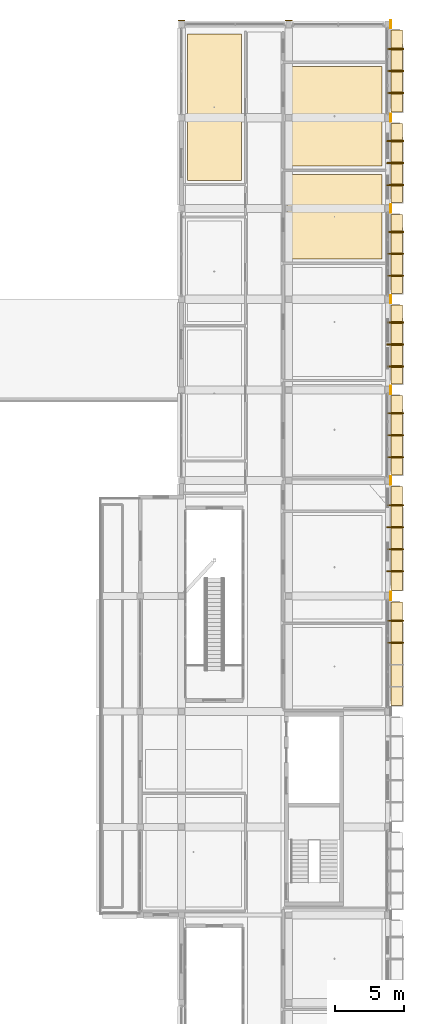
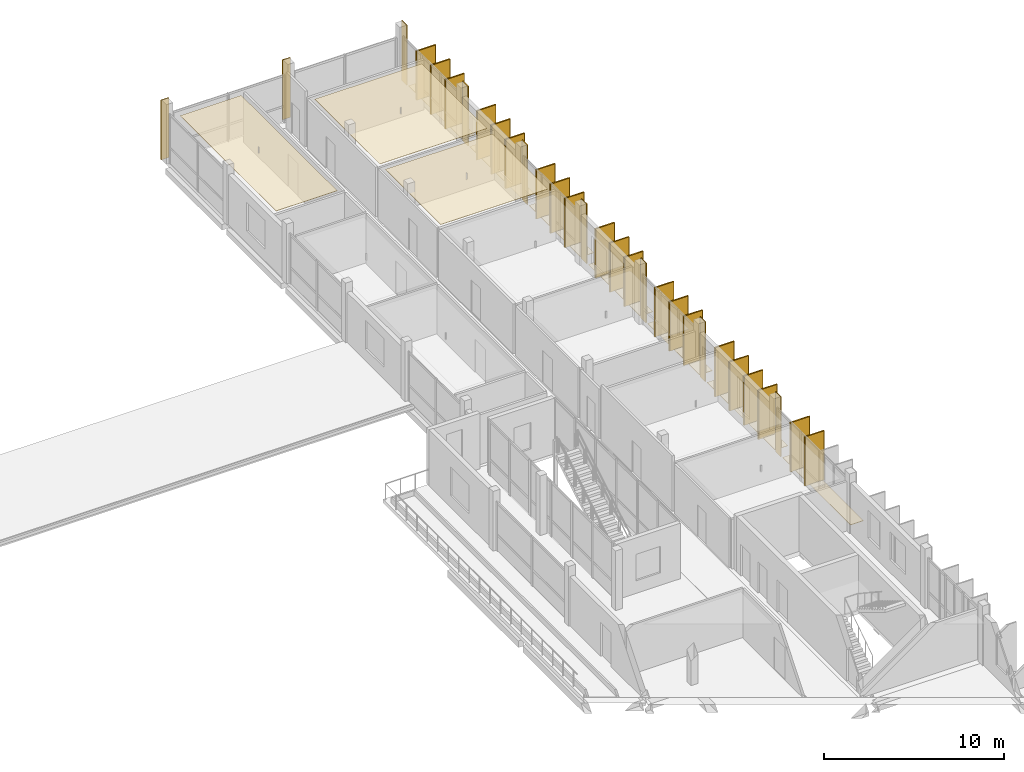
# One storey, part 86 of 86: 40 coverings, 21 shading devices.
"""IFC4 building model written with IfcOpenShell, lengths in metres."""

from ifc_helpers import new_model, si_unit, derived_unit, direction, frame, origin, origin_2d, place, context, subcontext, project, spatial, polyline, rectangle, outline, extrude, material, layer, layer_set, type_object, element, save


model = new_model("IFC4")

# Units and contexts
model_context = context("Model", 3, precision=1e-05, world=origin(), true_north=direction((0.0, 1.0)))
body_context = subcontext(model_context, "Body", "Model", "MODEL_VIEW")
ifc_project = project(units=[si_unit("LENGTHUNIT", "METRE"), si_unit("AREAUNIT", "SQUARE_METRE"), si_unit("VOLUMEUNIT", "CUBIC_METRE"), si_unit("PLANEANGLEUNIT", "RADIAN"), si_unit("MASSUNIT", "GRAM", prefix="KILO"), derived_unit("THERMALTRANSMITTANCEUNIT", [(si_unit("POWERUNIT", "WATT"), 1), (si_unit("LENGTHUNIT", "METRE"), -2), (si_unit("THERMODYNAMICTEMPERATUREUNIT", "KELVIN"), -1)])], contexts=[model_context])

# Site, building, storey
site_placement = place(None, origin())
site = spatial("IfcSite", under=ifc_project, at=site_placement, CompositionType="ELEMENT")
building_placement = place(site_placement, origin())
building = spatial("IfcBuilding", under=site, at=building_placement, Name="Braskholm Square Health Centre", CompositionType="ELEMENT")
storey_placement = place(building_placement, frame((0.0, 0.0, 13.5)))
storey = spatial("IfcBuildingStorey", under=building, at=storey_placement, Name="L04", CompositionType="ELEMENT", Elevation=13.5)

# Coverings
ifc_material_1 = material(Name="Fire-rated gypsum board barrier")
ifc_layer_1 = layer(ifc_material_1, 0.02490234375)
ifc_layer_set_1 = layer_set([ifc_layer_1], Name="Fire-rated gypsum board barrier")
covering_type_1 = type_object("IfcCoveringType", Name="AcousticClinicalCeilingTile", PredefinedType="CEILING", material=ifc_layer_set_1)
covering_1_placement = place(storey_placement, frame((0.0, 0.0, 3.3349609375)))
element("IfcCovering", 1, at=covering_1_placement, inside=storey, type_object=covering_type_1, Name="Acoustic ceiling L04-255", PredefinedType="CEILING", context=body_context, shape_type="SweptSolid", body=[
    extrude(outline(polyline([(156.5, 96.7099609375), (163.3798828125, 96.7099609375), (163.3798828125, 102.889892578125), (156.5, 102.889892578125), (156.5, 96.7099609375)])), origin(), (0.0, 0.0, 1.0), 0.025146484375),
])
covering_2_placement = place(storey_placement, frame((0.0, 0.0, 3.3349609375)))
element("IfcCovering", 2, at=covering_2_placement, inside=storey, type_object=covering_type_1, Name="Acoustic ceiling L04-256", PredefinedType="CEILING", context=body_context, shape_type="SweptSolid", body=[
    extrude(outline(polyline([(156.5, 103.489990234375), (163.3798828125, 103.489990234375), (163.3798828125, 110.739990234375), (156.5, 110.739990234375), (156.5, 103.489990234375)])), origin(), (0.0, 0.0, 1.0), 0.025146484375),
])
covering_3_placement = place(storey_placement, frame((0.0, 0.0, 3.3349609375)))
element("IfcCovering", 3, at=covering_3_placement, inside=storey, type_object=covering_type_1, Name="Acoustic ceiling L04-268", PredefinedType="CEILING", context=body_context, shape_type="SweptSolid", body=[
    extrude(outline(polyline([(149.219970703125, 102.429931640625), (153.14990234375, 102.429931640625), (153.14990234375, 113.10009765625), (149.219970703125, 113.10009765625), (149.219970703125, 102.429931640625)])), origin(), (0.0, 0.0, 1.0), 0.025146484375),
])

# Shading devices
ifc_material_2 = material(Name="Thermally modified western red cedar with bronze trim", Category="wood")
shading_device_type = type_object("IfcShadingDeviceType", Name="CedarBronzeShadingFin1250", PredefinedType="USERDEFINED", material=ifc_material_2)
for number, where, z_axis, x_axis, name in (
    (4, (164.364990234375, 68.800048828125, 0.0), (0.0, 0.0, 1.0), (1.0, 0.0, 0.0), "Warm cedar-bronze vertical shading slat 0337"),
    (5, (164.364990234375, 70.39990234375, 0.0), (0.0, 0.0, 1.0), (1.0, 0.0, 0.0), "Warm cedar-bronze vertical shading slat 0338"),
    (6, (164.364990234375, 74.0, 0.0), (0.0, 0.0, 1.0), (1.0, 0.0, 0.0), "Warm cedar-bronze vertical shading slat 0339"),
    (7, (164.364990234375, 75.60009765625, 0.0), (0.0, 0.0, 1.0), (1.0, 0.0, 0.0), "Warm cedar-bronze vertical shading slat 0340"),
    (8, (164.364990234375, 77.199951171875, 0.0), (0.0, 0.0, 1.0), (1.0, 0.0, 0.0), "Warm cedar-bronze vertical shading slat 0341"),
    (9, (164.364990234375, 78.800048828125, 0.0), (0.0, 0.0, 1.0), (1.0, 0.0, 0.0), "Warm cedar-bronze vertical shading slat 0342"),
    (10, (164.364990234375, 82.300048828125, 0.0), (0.0, 0.0, 1.0), (1.0, 0.0, 0.0), "Warm cedar-bronze vertical shading slat 0343"),
    (11, (164.364990234375, 83.89990234375, 0.0), (0.0, 0.0, 1.0), (1.0, 0.0, 0.0), "Warm cedar-bronze vertical shading slat 0344"),
    (12, (164.364990234375, 85.5, 0.0), (0.0, 0.0, 1.0), (1.0, 0.0, 0.0), "Warm cedar-bronze vertical shading slat 0345"),
    (13, (164.364990234375, 88.89990234375, 0.0), (0.0, 0.0, 1.0), (1.0, 0.0, 0.0), "Warm cedar-bronze vertical shading slat 0346"),
    (14, (164.364990234375, 90.5, 0.0), (0.0, 0.0, 1.0), (1.0, 0.0, 0.0), "Warm cedar-bronze vertical shading slat 0347"),
    (15, (164.364990234375, 92.10009765625, 0.0), (0.0, 0.0, 1.0), (1.0, 0.0, 0.0), "Warm cedar-bronze vertical shading slat 0348"),
    (16, (164.364990234375, 95.5, 0.0), (0.0, 0.0, 1.0), (1.0, 0.0, 0.0), "Warm cedar-bronze vertical shading slat 0349"),
    (17, (164.364990234375, 97.10009765625, 0.0), (0.0, 0.0, 1.0), (1.0, 0.0, 0.0), "Warm cedar-bronze vertical shading slat 0350"),
    (18, (164.364990234375, 98.699951171875, 0.0), (0.0, 0.0, 1.0), (1.0, 0.0, 0.0), "Warm cedar-bronze vertical shading slat 0351"),
    (19, (164.364990234375, 102.10009765625, 0.0), (0.0, 0.0, 1.0), (1.0, 0.0, 0.0), "Warm cedar-bronze vertical shading slat 0352"),
    (20, (164.364990234375, 103.699951171875, 0.0), (0.0, 0.0, 1.0), (1.0, 0.0, 0.0), "Warm cedar-bronze vertical shading slat 0353"),
    (21, (164.364990234375, 105.300048828125, 0.0), (0.0, 0.0, 1.0), (1.0, 0.0, 0.0), "Warm cedar-bronze vertical shading slat 0354"),
    (22, (164.364990234375, 108.800048828125, 0.0), (0.0, 0.0, 1.0), (1.0, 0.0, 0.0), "Warm cedar-bronze vertical shading slat 0355"),
    (23, (164.364990234375, 110.39990234375, 0.0), (0.0, 0.0, 1.0), (1.0, 0.0, 0.0), "Warm cedar-bronze vertical shading slat 0356"),
    (24, (164.364990234375, 112.0, 0.0), (0.0, 0.0, 1.0), (1.0, 0.0, 0.0), "Warm cedar-bronze vertical shading slat 0357"),
):
    element("IfcShadingDevice", number, at=place(storey_placement, frame(where, z_axis=z_axis, x_axis=x_axis)), inside=storey, type_object=shading_device_type, Name=name, ObjectType="FIN", PredefinedType="USERDEFINED", context=body_context, shape_type="SweptSolid", body=[
        extrude(rectangle(XDim=1.25, YDim=0.0849609375, at=origin_2d()), origin(), (0.0, 0.0, 1.0), 3.340087890625),
    ])

# Coverings
ifc_layer_2 = layer(ifc_material_2, 0.0849609375)
ifc_layer_set_2 = layer_set([ifc_layer_2], Name="Thermally modified western red cedar with bronze trim")
covering_type_2 = type_object("IfcCoveringType", Name="CedarBronzeSlatCladding", PredefinedType="CLADDING", material=ifc_layer_set_2)
for number, where, z_axis, x_axis, name in (
    (25, (164.3701171875, 68.800048828125, 0.0), (0.0, 0.0, 1.0), (1.0, 0.0, 0.0), "Cedar-bronze shading slat trim 0853"),
    (26, (164.3701171875, 70.39990234375, 0.0), (0.0, 0.0, 1.0), (1.0, 0.0, 0.0), "Cedar-bronze shading slat trim 0854"),
    (27, (164.3701171875, 74.0, 0.0), (0.0, 0.0, 1.0), (1.0, 0.0, 0.0), "Cedar-bronze shading slat trim 0856"),
    (28, (164.3701171875, 75.60009765625, 0.0), (0.0, 0.0, 1.0), (1.0, 0.0, 0.0), "Cedar-bronze shading slat trim 0857"),
    (29, (164.3701171875, 77.199951171875, 0.0), (0.0, 0.0, 1.0), (1.0, 0.0, 0.0), "Cedar-bronze shading slat trim 0858"),
    (30, (164.3701171875, 78.800048828125, 0.0), (0.0, 0.0, 1.0), (1.0, 0.0, 0.0), "Cedar-bronze shading slat trim 0859"),
    (31, (164.3701171875, 82.300048828125, 0.0), (0.0, 0.0, 1.0), (1.0, 0.0, 0.0), "Cedar-bronze shading slat trim 0861"),
    (32, (164.3701171875, 83.89990234375, 0.0), (0.0, 0.0, 1.0), (1.0, 0.0, 0.0), "Cedar-bronze shading slat trim 0862"),
    (33, (164.3701171875, 85.5, 0.0), (0.0, 0.0, 1.0), (1.0, 0.0, 0.0), "Cedar-bronze shading slat trim 0863"),
    (34, (164.3701171875, 88.89990234375, 0.0), (0.0, 0.0, 1.0), (1.0, 0.0, 0.0), "Cedar-bronze shading slat trim 0865"),
    (35, (164.3701171875, 90.5, 0.0), (0.0, 0.0, 1.0), (1.0, 0.0, 0.0), "Cedar-bronze shading slat trim 0866"),
    (36, (164.3701171875, 92.10009765625, 0.0), (0.0, 0.0, 1.0), (1.0, 0.0, 0.0), "Cedar-bronze shading slat trim 0867"),
    (37, (164.3701171875, 95.5, 0.0), (0.0, 0.0, 1.0), (1.0, 0.0, 0.0), "Cedar-bronze shading slat trim 0869"),
    (38, (164.3701171875, 97.10009765625, 0.0), (0.0, 0.0, 1.0), (1.0, 0.0, 0.0), "Cedar-bronze shading slat trim 0870"),
    (39, (164.3701171875, 98.699951171875, 0.0), (0.0, 0.0, 1.0), (1.0, 0.0, 0.0), "Cedar-bronze shading slat trim 0871"),
    (40, (164.3701171875, 102.10009765625, 0.0), (0.0, 0.0, 1.0), (1.0, 0.0, 0.0), "Cedar-bronze shading slat trim 0873"),
    (41, (164.3701171875, 103.699951171875, 0.0), (0.0, 0.0, 1.0), (1.0, 0.0, 0.0), "Cedar-bronze shading slat trim 0874"),
    (42, (164.3701171875, 105.300048828125, 0.0), (0.0, 0.0, 1.0), (1.0, 0.0, 0.0), "Cedar-bronze shading slat trim 0875"),
    (43, (164.3701171875, 108.800048828125, 0.0), (0.0, 0.0, 1.0), (1.0, 0.0, 0.0), "Cedar-bronze shading slat trim 0877"),
    (44, (164.3701171875, 110.39990234375, 0.0), (0.0, 0.0, 1.0), (1.0, 0.0, 0.0), "Cedar-bronze shading slat trim 0878"),
    (45, (164.3701171875, 112.0, 0.0), (0.0, 0.0, 1.0), (1.0, 0.0, 0.0), "Cedar-bronze shading slat trim 0879"),
):
    element("IfcCovering", number, at=place(storey_placement, frame(where, z_axis=z_axis, x_axis=x_axis)), inside=storey, type_object=covering_type_2, Name=name, PredefinedType="CLADDING", context=body_context, shape_type="SweptSolid", body=[
        extrude(rectangle(XDim=1.179931640625, YDim=0.094970703125, at=origin_2d()), origin(), (0.0, 0.0, 1.0), 3.340087890625),
    ])
ifc_material_3 = material(Name="Intensive botanical sedum and native prairie garden bed")
ifc_layer_3 = layer(ifc_material_3, 0.02490234375)
ifc_layer_set_3 = layer_set([ifc_layer_3], Name="Intensive botanical sedum and native prairie garden bed")
covering_type_3 = type_object("IfcCoveringType", Name="PlantedTerraceGardenBed", PredefinedType="ROOFING", material=ifc_layer_set_3)
covering_4_placement = place(storey_placement, origin())
element("IfcCovering", 46, at=covering_4_placement, inside=storey, type_object=covering_type_3, Name="East floor planter ledge sedum strip 0855", PredefinedType="ROOFING", context=body_context, shape_type="SweptSolid", body=[
    extrude(outline(polyline([(164.050048828125, 64.219970703125), (164.8798828125, 64.219970703125), (164.8798828125, 71.780029296875), (164.050048828125, 71.780029296875), (164.050048828125, 64.219970703125)])), origin(), (0.0, 0.0, 1.0), 0.02490234375),
])
covering_5_placement = place(storey_placement, origin())
element("IfcCovering", 47, at=covering_5_placement, inside=storey, type_object=covering_type_3, Name="East floor planter ledge sedum strip 0860", PredefinedType="ROOFING", context=body_context, shape_type="SweptSolid", body=[
    extrude(outline(polyline([(164.050048828125, 72.6201171875), (164.8798828125, 72.6201171875), (164.8798828125, 80.179931640625), (164.050048828125, 80.179931640625), (164.050048828125, 72.6201171875)])), origin(), (0.0, 0.0, 1.0), 0.02490234375),
])
covering_6_placement = place(storey_placement, origin())
element("IfcCovering", 48, at=covering_6_placement, inside=storey, type_object=covering_type_3, Name="East floor planter ledge sedum strip 0864", PredefinedType="ROOFING", context=body_context, shape_type="SweptSolid", body=[
    extrude(outline(polyline([(164.050048828125, 81.02001953125), (164.8798828125, 81.02001953125), (164.8798828125, 86.780029296875), (164.050048828125, 86.780029296875), (164.050048828125, 81.02001953125)])), origin(), (0.0, 0.0, 1.0), 0.02490234375),
])
covering_7_placement = place(storey_placement, origin())
element("IfcCovering", 49, at=covering_7_placement, inside=storey, type_object=covering_type_3, Name="East floor planter ledge sedum strip 0868", PredefinedType="ROOFING", context=body_context, shape_type="SweptSolid", body=[
    extrude(outline(polyline([(164.050048828125, 87.6201171875), (164.8798828125, 87.6201171875), (164.8798828125, 93.3798828125), (164.050048828125, 93.3798828125), (164.050048828125, 87.6201171875)])), origin(), (0.0, 0.0, 1.0), 0.02490234375),
])
covering_8_placement = place(storey_placement, origin())
element("IfcCovering", 50, at=covering_8_placement, inside=storey, type_object=covering_type_3, Name="East floor planter ledge sedum strip 0872", PredefinedType="ROOFING", context=body_context, shape_type="SweptSolid", body=[
    extrude(outline(polyline([(164.050048828125, 94.219970703125), (164.8798828125, 94.219970703125), (164.8798828125, 99.97998046875), (164.050048828125, 99.97998046875), (164.050048828125, 94.219970703125)])), origin(), (0.0, 0.0, 1.0), 0.02490234375),
])
covering_9_placement = place(storey_placement, origin())
element("IfcCovering", 51, at=covering_9_placement, inside=storey, type_object=covering_type_3, Name="East floor planter ledge sedum strip 0876", PredefinedType="ROOFING", context=body_context, shape_type="SweptSolid", body=[
    extrude(outline(polyline([(164.050048828125, 100.820068359375), (164.8798828125, 100.820068359375), (164.8798828125, 106.580078125), (164.050048828125, 106.580078125), (164.050048828125, 100.820068359375)])), origin(), (0.0, 0.0, 1.0), 0.02490234375),
])
covering_10_placement = place(storey_placement, origin())
element("IfcCovering", 52, at=covering_10_placement, inside=storey, type_object=covering_type_3, Name="East floor planter ledge sedum strip 0880", PredefinedType="ROOFING", context=body_context, shape_type="SweptSolid", body=[
    extrude(outline(polyline([(164.050048828125, 107.419921875), (164.8798828125, 107.419921875), (164.8798828125, 113.3798828125), (164.050048828125, 113.3798828125), (164.050048828125, 107.419921875)])), origin(), (0.0, 0.0, 1.0), 0.02490234375),
])
ifc_material_4 = material(Name="Precast concrete C40/50 architectural white", Category="concrete")
ifc_layer_4 = layer(ifc_material_4, 0.054931640625)
ifc_layer_set_4 = layer_set([ifc_layer_4], Name="Precast concrete C40/50 architectural white")
covering_type_4 = type_object("IfcCoveringType", Name="PrecastWhiteColumnCasing", PredefinedType="CLADDING", material=ifc_layer_set_4)
for number, where, z_axis, x_axis, name in (
    (53, (148.800048828125, 114.0849609375, 0.0), (0.0, 0.0, 1.0), (1.0, 0.0, 0.0), "Giant-order white precast column casing 0232"),
    (54, (156.60009765625, 114.0849609375, 0.0), (0.0, 0.0, 1.0), (1.0, 0.0, 0.0), "Giant-order white precast column casing 0242"),
):
    element("IfcCovering", number, at=place(storey_placement, frame(where, z_axis=z_axis, x_axis=x_axis)), inside=storey, type_object=covering_type_4, Name=name, PredefinedType="CLADDING", context=body_context, shape_type="SweptSolid", body=[
        extrude(rectangle(XDim=0.5, YDim=0.06005859375, at=origin_2d()), origin(), (0.0, 0.0, 1.0), 4.050048828125),
    ])
for number, where, z_axis, x_axis, name in (
    (55, (164.034912109375, 72.199951171875, 0.0), (0.0, 0.0, 1.0), (1.0, 0.0, 0.0), "Giant-order white precast column casing 0327"),
    (56, (164.034912109375, 80.60009765625, 0.0), (0.0, 0.0, 1.0), (1.0, 0.0, 0.0), "Giant-order white precast column casing 0335"),
    (57, (164.034912109375, 87.199951171875, 0.0), (0.0, 0.0, 1.0), (1.0, 0.0, 0.0), "Giant-order white precast column casing 0343"),
    (58, (164.034912109375, 93.800048828125, 0.0), (0.0, 0.0, 1.0), (1.0, 0.0, 0.0), "Giant-order white precast column casing 0351"),
    (59, (164.034912109375, 100.39990234375, 0.0), (0.0, 0.0, 1.0), (1.0, 0.0, 0.0), "Giant-order white precast column casing 0359"),
    (60, (164.034912109375, 107.0, 0.0), (0.0, 0.0, 1.0), (1.0, 0.0, 0.0), "Giant-order white precast column casing 0367"),
    (61, (164.034912109375, 113.800048828125, 0.0), (0.0, 0.0, 1.0), (1.0, 0.0, 0.0), "Giant-order white precast column casing 0375"),
):
    element("IfcCovering", number, at=place(storey_placement, frame(where, z_axis=z_axis, x_axis=x_axis)), inside=storey, type_object=covering_type_4, Name=name, PredefinedType="CLADDING", context=body_context, shape_type="SweptSolid", body=[
        extrude(rectangle(XDim=0.06005859375, YDim=0.60009765625, at=origin_2d()), origin(), (0.0, 0.0, 1.0), 4.050048828125),
    ])

save(model, "model.ifc")
